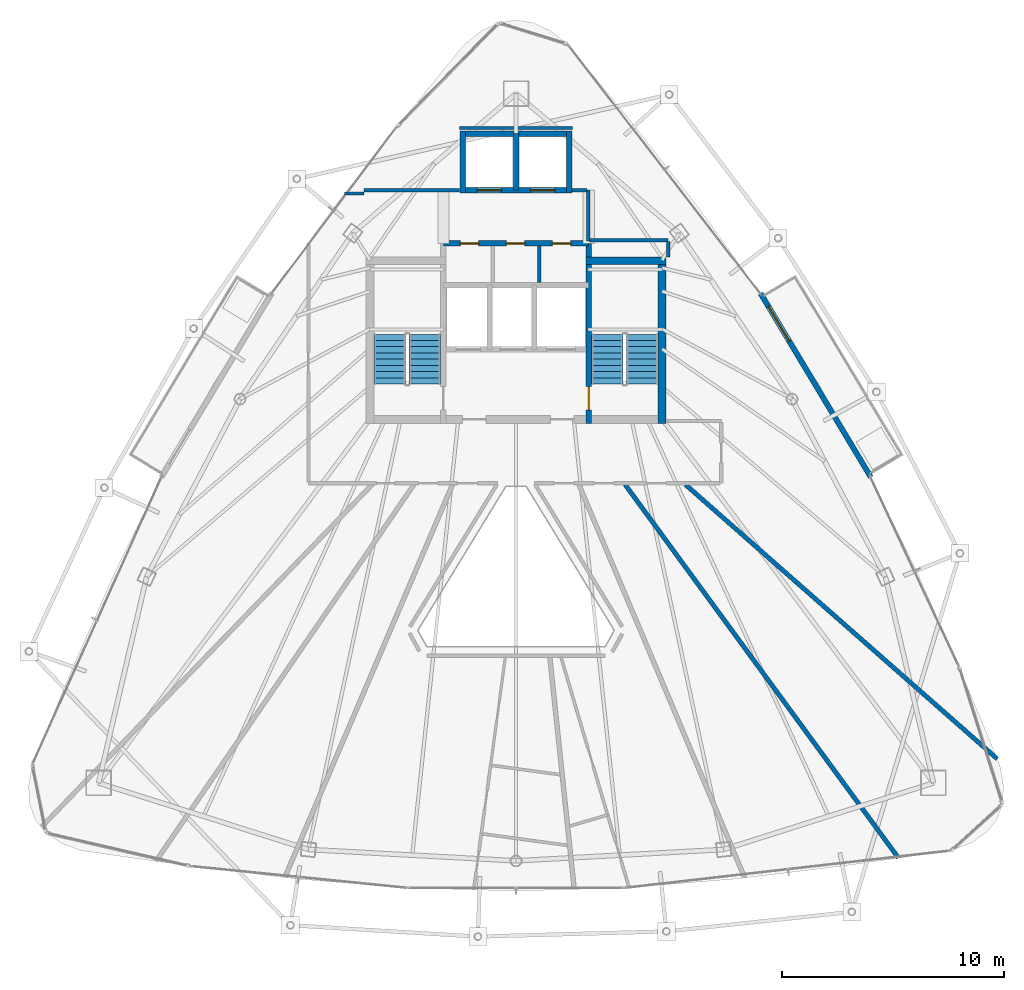
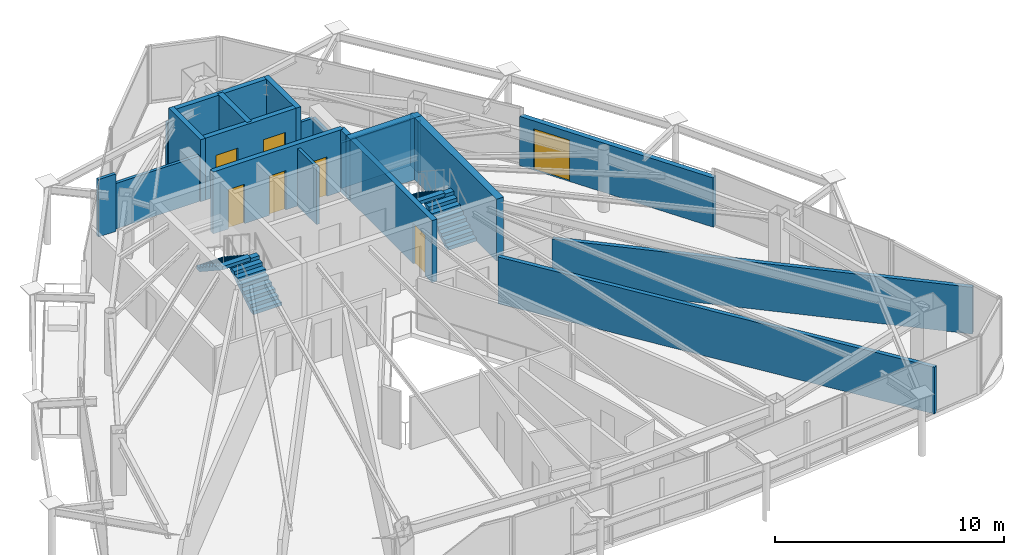
# One storey, part 26 of 28: 20 walls, 7 doors, 4 stair flights, 7 openings, 2 elements without a shape of their own.
"""IFC4 building model written with IfcOpenShell, lengths in metres."""

from ifc_helpers import new_model, si_unit, direction, frame, frame_2d, origin, place, context, subcontext, project, spatial, polyline, rectangle, outline, extrude, material, layer, layer_set, type_object, element, fill, aggregate, save


model = new_model("IFC4")

# Units and contexts
model_context = context("Model", 3, precision=1e-05, world=origin(), true_north=direction((0.0, 1.0)))
body_context = subcontext(model_context, "Body", "Model", "MODEL_VIEW")
ifc_project = project(units=[si_unit("LENGTHUNIT", "METRE"), si_unit("AREAUNIT", "SQUARE_METRE"), si_unit("VOLUMEUNIT", "CUBIC_METRE"), si_unit("PLANEANGLEUNIT", "RADIAN"), si_unit("MASSUNIT", "GRAM", prefix="KILO")], contexts=[model_context])

# Site, building, storey
site_placement = place(None, origin())
site = spatial("IfcSite", under=ifc_project, at=site_placement, CompositionType="ELEMENT")
building_placement = place(site_placement, origin())
building = spatial("IfcBuilding", under=site, at=building_placement, Name="Orvanel Arch Residences", CompositionType="ELEMENT")
storey_placement = place(building_placement, frame((0.0, 0.0, 266.75)))
storey = spatial("IfcBuildingStorey", under=building, at=storey_placement, Name="L76", CompositionType="ELEMENT", Elevation=266.75)

# Wall, opening, door
ifc_material_1 = material(Name="Precast concrete N50 (50 MPa)", Category="concrete")
ifc_layer_1 = layer(ifc_material_1, 0.239990234375)
ifc_layer_set_1 = layer_set([ifc_layer_1], Name="Precast concrete N50 (50 MPa)")
wall_type_1 = type_object("IfcWallType", Name="EW-BAL-240", PredefinedType="SOLIDWALL", material=ifc_layer_set_1)
wall_1_placement = place(storey_placement, frame((48.97998046875, 24.1220703125, 0.0), z_axis=(0.0, 0.0, 1.0), x_axis=(-0.514361929684, 0.857573206958, 0.0)))
wall_1 = element("IfcWall", 1, at=wall_1_placement, inside=storey, type_object=wall_type_1, Name="L76 Balcony Threshold Wall Face 3", PredefinedType="SOLIDWALL", context=body_context, shape_type="SweptSolid", body=[
    extrude(rectangle(XDim=9.65869140625, YDim=0.239990234375, at=frame_2d((4.829345703125, 0.0))), origin(), (0.0, 0.0, 1.0), 2.6240234375),
])
opening_1_placement = place(wall_1_placement, frame((7.162109375, 0.0, 0.0)))
opening_1 = element("IfcOpeningElement", 2, at=opening_1_placement, cuts=wall_1, Name="Opening DB-180", PredefinedType="OPENING", context=body_context, shape_type="SweptSolid", body=[
    extrude(rectangle(XDim=1.800048828125, YDim=2.199951171875, at=frame_2d((0.89990234375, 1.10009765625))), frame((0.0, 0.1298828125, 0.0), z_axis=(0.0, -1.0, 0.0), x_axis=(1.0, 0.0, 0.0)), (0.0, 0.0, 1.0), 0.260009765625),
])
ifc_material_2 = material(Name="Bronze-anodised aluminium AA6063-T6", Category="aluminium")
door_type_1 = type_object("IfcDoorType", Name="DR-BAL-1800", OperationType="NOTDEFINED", PredefinedType="DOOR", material=ifc_material_2)
door_1_placement = place(opening_1_placement, origin())
door_1 = element("IfcDoor", 3, at=door_1_placement, inside=storey, type_object=door_type_1, Name="DR-L76-BAL-F3 L76 Planted Balcony Access Door Face 3", OperationType="SINGLE_SWING_RIGHT", OverallHeight=2.199951171875, OverallWidth=1.800048828125, PredefinedType="DOOR", context=body_context, shape_type="SweptSolid", body=[
    extrude(rectangle(XDim=1.800048828125, YDim=2.199951171875, at=frame_2d((0.89990234375, 1.10009765625))), frame((0.0, 0.02490234375, 0.0), z_axis=(0.0, -1.0, 0.0), x_axis=(1.0, 0.0, 0.0)), (0.0, 0.0, 1.0), 0.050048828125),
])
fill(opening_1, door_1)

ifc_material_3 = material(Name="Concrete N50 (50 MPa)", Category="concrete")
ifc_layer_2 = layer(ifc_material_3, 0.25)
ifc_layer_set_2 = layer_set([ifc_layer_2], Name="Concrete N50 (50 MPa)")
wall_type_2 = type_object("IfcWallType", Name="SW-CORE-250", PredefinedType="SHEAR", material=ifc_layer_set_2)
wall_2_placement = place(storey_placement, frame((36.27490234375, 26.550048828125, 0.0), z_axis=(0.0, 0.0, 1.0), x_axis=(0.0, 1.0, 0.0)))
wall_2 = element("IfcWall", 4, at=wall_2_placement, inside=storey, type_object=wall_type_2, Name="L76 East Inner Core Spine Shear Wall", PredefinedType="SHEAR", context=body_context, shape_type="SweptSolid", body=[
    extrude(rectangle(XDim=8.099853515625, YDim=0.25, at=frame_2d((4.0498046875, 0.0))), origin(), (0.0, 0.0, 1.0), 3.300048828125),
])
opening_2_placement = place(wall_2_placement, frame((0.60009765625, 0.0, 0.0)))
opening_2 = element("IfcOpeningElement", 5, at=opening_2_placement, cuts=wall_2, Name="Opening DF-120", PredefinedType="OPENING", context=body_context, shape_type="SweptSolid", body=[
    extrude(rectangle(XDim=1.050048828125, YDim=2.14990234375, at=frame_2d((0.52490234375, 1.074951171875))), frame((0.0, 0.135009765625, 0.0), z_axis=(0.0, -1.0, 0.0), x_axis=(1.0, 0.0, 0.0)), (0.0, 0.0, 1.0), 0.27001953125),
])
ifc_material_4 = material(Name="Galvanised steel fire-resisting door assembly", Category="steel")
door_type_2 = type_object("IfcDoorType", Name="DR-FD120-1050", OperationType="NOTDEFINED", PredefinedType="DOOR", material=ifc_material_4)
door_2_placement = place(opening_2_placement, origin())
door_2 = element("IfcDoor", 6, at=door_2_placement, inside=storey, type_object=door_type_2, Name="DR-L76-ST2 L76 Stair 2 Fire Door", OperationType="SINGLE_SWING_RIGHT", OverallHeight=2.14990234375, OverallWidth=1.050048828125, PredefinedType="DOOR", context=body_context, shape_type="SweptSolid", body=[
    extrude(rectangle(XDim=1.050048828125, YDim=2.14990234375, at=frame_2d((0.52490234375, 1.074951171875))), frame((0.0, 0.02490234375, 0.0), z_axis=(0.0, -1.0, 0.0), x_axis=(1.0, 0.0, 0.0)), (0.0, 0.0, 1.0), 0.050048828125),
])
fill(opening_2, door_2)

# Wall, openings, doors
wall_3_placement = place(storey_placement, frame((29.72509765625, 34.64990234375, 0.0), z_axis=(0.0, 0.0, 1.0), x_axis=(1.0, 0.0, 0.0)))
wall_3 = element("IfcWall", 7, at=wall_3_placement, inside=storey, type_object=wall_type_2, Name="L76 Core Service Band North Shear Wall", PredefinedType="SHEAR", context=body_context, shape_type="SweptSolid", body=[
    extrude(rectangle(XDim=6.5498046875, YDim=0.25, at=frame_2d((3.27490234375, 0.0))), origin(), (0.0, 0.0, 1.0), 3.300048828125),
])
opening_3_placement = place(wall_3_placement, frame((0.764892578125, 0.0, 0.0)))
opening_3 = element("IfcOpeningElement", 8, at=opening_3_placement, cuts=wall_3, Name="Opening DS-082", PredefinedType="OPENING", context=body_context, shape_type="SweptSolid", body=[
    extrude(rectangle(XDim=0.820068359375, YDim=2.10009765625, at=frame_2d((0.41015625, 1.050048828125))), frame((0.0, 0.135009765625, 0.0), z_axis=(0.0, -1.0, 0.0), x_axis=(1.0, 0.0, 0.0)), (0.0, 0.0, 1.0), 0.27001953125),
])
opening_4_placement = place(wall_3_placement, frame((2.840087890625, 0.0, 0.0)))
opening_4 = element("IfcOpeningElement", 9, at=opening_4_placement, cuts=wall_3, Name="Opening DS-082", PredefinedType="OPENING", context=body_context, shape_type="SweptSolid", body=[
    extrude(rectangle(XDim=0.820068359375, YDim=2.10009765625, at=frame_2d((0.41015625, 1.050048828125))), frame((0.0, 0.135009765625, 0.0), z_axis=(0.0, -1.0, 0.0), x_axis=(1.0, 0.0, 0.0)), (0.0, 0.0, 1.0), 0.27001953125),
])
opening_5_placement = place(wall_3_placement, frame((4.9150390625, 0.0, 0.0)))
opening_5 = element("IfcOpeningElement", 10, at=opening_5_placement, cuts=wall_3, Name="Opening DS-082", PredefinedType="OPENING", context=body_context, shape_type="SweptSolid", body=[
    extrude(rectangle(XDim=0.820068359375, YDim=2.10009765625, at=frame_2d((0.41015625, 1.050048828125))), frame((0.0, 0.135009765625, 0.0), z_axis=(0.0, -1.0, 0.0), x_axis=(1.0, 0.0, 0.0)), (0.0, 0.0, 1.0), 0.27001953125),
])
door_type_3 = type_object("IfcDoorType", Name="DR-SVC-820", OperationType="NOTDEFINED", PredefinedType="DOOR", material=ifc_material_4)
door_3_placement = place(opening_3_placement, origin())
door_3 = element("IfcDoor", 11, at=door_3_placement, inside=storey, type_object=door_type_3, Name="DR-L76-CSVC-1 L76 Housekeeping Store Door", OperationType="SINGLE_SWING_LEFT", OverallHeight=2.10009765625, OverallWidth=0.820068359375, PredefinedType="DOOR", context=body_context, shape_type="SweptSolid", body=[
    extrude(rectangle(XDim=0.820068359375, YDim=2.10009765625, at=frame_2d((0.41015625, 1.050048828125))), frame((0.0, 0.02490234375, 0.0), z_axis=(0.0, -1.0, 0.0), x_axis=(1.0, 0.0, 0.0)), (0.0, 0.0, 1.0), 0.050048828125),
])
fill(opening_3, door_3)
door_4_placement = place(opening_4_placement, origin())
door_4 = element("IfcDoor", 12, at=door_4_placement, inside=storey, type_object=door_type_3, Name="DR-L76-CSVC-2 L76 Cleaner's Store Door", OperationType="SINGLE_SWING_LEFT", OverallHeight=2.10009765625, OverallWidth=0.820068359375, PredefinedType="DOOR", context=body_context, shape_type="SweptSolid", body=[
    extrude(rectangle(XDim=0.820068359375, YDim=2.10009765625, at=frame_2d((0.41015625, 1.050048828125))), frame((0.0, 0.02490234375, 0.0), z_axis=(0.0, -1.0, 0.0), x_axis=(1.0, 0.0, 0.0)), (0.0, 0.0, 1.0), 0.050048828125),
])
fill(opening_4, door_4)
door_5_placement = place(opening_5_placement, origin())
door_5 = element("IfcDoor", 13, at=door_5_placement, inside=storey, type_object=door_type_3, Name="DR-L76-CSVC-3 L76 Comms Riser Store Door", OperationType="SINGLE_SWING_LEFT", OverallHeight=2.10009765625, OverallWidth=0.820068359375, PredefinedType="DOOR", context=body_context, shape_type="SweptSolid", body=[
    extrude(rectangle(XDim=0.820068359375, YDim=2.10009765625, at=frame_2d((0.41015625, 1.050048828125))), frame((0.0, 0.02490234375, 0.0), z_axis=(0.0, -1.0, 0.0), x_axis=(1.0, 0.0, 0.0)), (0.0, 0.0, 1.0), 0.050048828125),
])
fill(opening_5, door_5)

wall_4_placement = place(storey_placement, frame((35.52490234375, 37.050048828125, 0.0), z_axis=(0.0, 0.0, 1.0), x_axis=(-1.0, 0.0, 0.0)))
wall_4 = element("IfcWall", 14, at=wall_4_placement, inside=storey, type_object=wall_type_2, Name="L76 Passenger Lift Bank Front Shear Wall", PredefinedType="SHEAR", context=body_context, shape_type="SweptSolid", body=[
    extrude(rectangle(XDim=5.0498046875, YDim=0.25, at=frame_2d((2.52490234375, 0.0))), origin(), (0.0, 0.0, 1.0), 3.300048828125),
])
opening_6_placement = place(wall_4_placement, frame((3.175048828125, 0.0, 0.0)))
opening_6 = element("IfcOpeningElement", 15, at=opening_6_placement, cuts=wall_4, Name="Opening LD-110", PredefinedType="OPENING", context=body_context, shape_type="SweptSolid", body=[
    extrude(rectangle(XDim=1.10009765625, YDim=2.199951171875, at=frame_2d((0.550048828125, 1.10009765625))), frame((0.0, 0.135009765625, 0.0), z_axis=(0.0, -1.0, 0.0), x_axis=(1.0, 0.0, 0.0)), (0.0, 0.0, 1.0), 0.27001953125),
])
opening_7_placement = place(wall_4_placement, frame((0.77490234375, 0.0, 0.0)))
opening_7 = element("IfcOpeningElement", 16, at=opening_7_placement, cuts=wall_4, Name="Opening LD-110", PredefinedType="OPENING", context=body_context, shape_type="SweptSolid", body=[
    extrude(rectangle(XDim=1.10009765625, YDim=2.199951171875, at=frame_2d((0.550048828125, 1.10009765625))), frame((0.0, 0.135009765625, 0.0), z_axis=(0.0, -1.0, 0.0), x_axis=(1.0, 0.0, 0.0)), (0.0, 0.0, 1.0), 0.27001953125),
])
door_type_4 = type_object("IfcDoorType", Name="DR-LFT-1100", OperationType="NOTDEFINED", PredefinedType="DOOR", material=ifc_material_4)
door_6_placement = place(opening_6_placement, origin())
door_6 = element("IfcDoor", 17, at=door_6_placement, inside=storey, type_object=door_type_4, Name="LD-P5-L76 L76 Passenger Lift P5 Sliding Landing Door", OperationType="DOUBLE_DOOR_SLIDING", OverallHeight=2.199951171875, OverallWidth=1.10009765625, PredefinedType="DOOR", context=body_context, shape_type="SweptSolid", body=[
    extrude(rectangle(XDim=1.10009765625, YDim=2.199951171875, at=frame_2d((0.550048828125, 1.10009765625))), frame((0.0, 0.02490234375, 0.0), z_axis=(0.0, -1.0, 0.0), x_axis=(1.0, 0.0, 0.0)), (0.0, 0.0, 1.0), 0.050048828125),
])
fill(opening_6, door_6)
door_7_placement = place(opening_7_placement, origin())
door_7 = element("IfcDoor", 18, at=door_7_placement, inside=storey, type_object=door_type_4, Name="LD-P6-L76 L76 Passenger Lift P6 Sliding Landing Door", OperationType="DOUBLE_DOOR_SLIDING", OverallHeight=2.199951171875, OverallWidth=1.10009765625, PredefinedType="DOOR", context=body_context, shape_type="SweptSolid", body=[
    extrude(rectangle(XDim=1.10009765625, YDim=2.199951171875, at=frame_2d((0.550048828125, 1.10009765625))), frame((0.0, 0.02490234375, 0.0), z_axis=(0.0, -1.0, 0.0), x_axis=(1.0, 0.0, 0.0)), (0.0, 0.0, 1.0), 0.050048828125),
])
fill(opening_7, door_7)

# Walls
wall_5_placement = place(storey_placement, frame((30.47509765625, 39.60009765625, 0.0), z_axis=(0.0, 0.0, 1.0), x_axis=(1.0, 0.0, 0.0)))
element("IfcWall", 19, at=wall_5_placement, inside=storey, type_object=wall_type_2, Name="L76 Passenger Lift Bank North Shear Wall", PredefinedType="SHEAR", context=body_context, shape_type="SweptSolid", body=[
    extrude(rectangle(XDim=5.0498046875, YDim=0.25, at=frame_2d((2.52490234375, 0.0))), origin(), (0.0, 0.0, 1.0), 3.300048828125),
])
for number, where, z_axis, x_axis, name in (
    (20, (30.60009765625, 36.925048828125, 0.0), (0.0, 0.0, 1.0), (0.0, 1.0, 0.0), "L76 Passenger Lift Bank West Shear Wall"),
    (21, (35.39990234375, 36.925048828125, 0.0), (0.0, 0.0, 1.0), (0.0, 1.0, 0.0), "L76 Passenger Lift Bank East Shear Wall"),
):
    element("IfcWall", number, at=place(storey_placement, frame(where, z_axis=z_axis, x_axis=x_axis)), inside=storey, type_object=wall_type_2, Name=name, PredefinedType="SHEAR", context=body_context, shape_type="SweptSolid", body=[
        extrude(rectangle(XDim=2.800048828125, YDim=0.25, at=frame_2d((1.39990234375, 0.0))), origin(), (0.0, 0.0, 1.0), 3.300048828125),
    ])
wall_6_placement = place(storey_placement, frame((33.0, 37.050048828125, 0.0), z_axis=(0.0, 0.0, 1.0), x_axis=(0.0, 1.0, 0.0)))
element("IfcWall", 22, at=wall_6_placement, inside=storey, type_object=wall_type_2, Name="L76 Passenger Lift Inter-Shaft Wall P56", PredefinedType="SHEAR", context=body_context, shape_type="SweptSolid", body=[
    extrude(rectangle(XDim=2.550048828125, YDim=0.25, at=frame_2d((1.27490234375, 0.0))), origin(), (0.0, 0.0, 1.0), 3.300048828125),
])
ifc_layer_3 = layer(ifc_material_3, 0.35009765625)
ifc_layer_set_3 = layer_set([ifc_layer_3], Name="Concrete N50 (50 MPa)")
wall_type_3 = type_object("IfcWallType", Name="SW-CORE-350", PredefinedType="SHEAR", material=ifc_layer_set_3)
wall_7_placement = place(storey_placement, frame((39.574951171875, 26.550048828125, 0.0), z_axis=(0.0, 0.0, 1.0), x_axis=(0.0, 1.0, 0.0)))
element("IfcWall", 23, at=wall_7_placement, inside=storey, type_object=wall_type_3, Name="L76 East Stair Shear Wall", PredefinedType="SHEAR", context=body_context, shape_type="SweptSolid", body=[
    extrude(rectangle(XDim=7.5, YDim=0.35009765625, at=frame_2d((3.75, 0.0))), origin(), (0.0, 0.0, 1.0), 3.300048828125),
])
wall_8_placement = place(storey_placement, frame((36.14990234375, 33.875, 0.0), z_axis=(0.0, 0.0, 1.0), x_axis=(1.0, 0.0, 0.0)))
element("IfcWall", 24, at=wall_8_placement, inside=storey, type_object=wall_type_3, Name="L76 East Stair North Shear Wall", PredefinedType="SHEAR", context=body_context, shape_type="SweptSolid", body=[
    extrude(rectangle(XDim=3.60009765625, YDim=0.35009765625, at=frame_2d((1.800048828125, 0.0))), origin(), (0.0, 0.0, 1.0), 3.300048828125),
])
ifc_material_5 = material(Name="Fire-rated plasterboard lined steel stud partition", Category="steel")
ifc_layer_4 = layer(ifc_material_5, 0.14990234375)
ifc_layer_set_4 = layer_set([ifc_layer_4], Name="Fire-rated plasterboard lined steel stud partition")
wall_type_4 = type_object("IfcWallType", Name="W-COR-150", PredefinedType="PARTITIONING", material=ifc_layer_set_4)
wall_9_placement = place(storey_placement, frame((36.25, 34.760009765625, 0.0), z_axis=(0.0, 0.0, 1.0), x_axis=(0.0, 1.0, 0.0)))
element("IfcWall", 25, at=wall_9_placement, inside=storey, type_object=wall_type_4, Name="L76 Passenger Lift Lobby East Closure Wall", PredefinedType="PARTITIONING", context=body_context, shape_type="SweptSolid", body=[
    extrude(rectangle(XDim=2.2900390625, YDim=0.14990234375, at=frame_2d((1.14501953125, 0.0))), origin(), (0.0, 0.0, 1.0), 2.425048828125),
])
wall_10_placement = place(storey_placement, frame((35.52490234375, 37.050048828125, 0.0), z_axis=(0.0, 0.0, 1.0), x_axis=(1.0, 0.0, 0.0)))
element("IfcWall", 26, at=wall_10_placement, inside=storey, type_object=wall_type_4, Name="L76 Passenger Lift Lobby North-East Wall", PredefinedType="PARTITIONING", context=body_context, shape_type="SweptSolid", body=[
    extrude(rectangle(XDim=0.6650390625, YDim=0.14990234375, at=frame_2d((0.33251953125, 0.0))), origin(), (0.0, 0.0, 1.0), 2.425048828125),
])
wall_11_placement = place(storey_placement, frame((25.26708984375, 36.89990234375, 0.0), z_axis=(0.0, 0.0, 1.0), x_axis=(1.0, 0.0, 0.0)))
element("IfcWall", 27, at=wall_11_placement, inside=storey, type_object=wall_type_4, Name="L76 Corridor Fire-Rated Partition", PredefinedType="PARTITIONING", context=body_context, shape_type="SweptSolid", body=[
    extrude(rectangle(XDim=0.8828125, YDim=0.14990234375, at=frame_2d((0.44140625, 0.0))), origin(), (0.0, 0.0, 1.0), 3.06005859375),
])
wall_12_placement = place(storey_placement, frame((26.14990234375, 37.050048828125, 0.0), z_axis=(0.0, 0.0, 1.0), x_axis=(1.0, 0.0, 0.0)))
element("IfcWall", 28, at=wall_12_placement, inside=storey, type_object=wall_type_4, Name="L76 Core Perimeter Partition", PredefinedType="PARTITIONING", context=body_context, shape_type="SweptSolid", body=[
    extrude(rectangle(XDim=4.300048828125, YDim=0.14990234375, at=frame_2d((2.14990234375, 0.0))), origin(), (0.0, 0.0, 1.0), 2.425048828125),
])
wall_13_placement = place(storey_placement, frame((30.449951171875, 39.85009765625, 0.0), z_axis=(0.0, 0.0, 1.0), x_axis=(1.0, 0.0, 0.0)))
element("IfcWall", 29, at=wall_13_placement, inside=storey, type_object=wall_type_4, Name="L76 Core Perimeter Partition", PredefinedType="PARTITIONING", context=body_context, shape_type="SweptSolid", body=[
    extrude(rectangle(XDim=5.10009765625, YDim=0.14990234375, at=frame_2d((2.550048828125, 0.0))), origin(), (0.0, 0.0, 1.0), 2.491943359375),
])
wall_14_placement = place(storey_placement, frame((36.31005859375, 34.800048828125, 0.0), z_axis=(0.0, 0.0, 1.0), x_axis=(1.0, 0.0, 0.0)))
element("IfcWall", 30, at=wall_14_placement, inside=storey, type_object=wall_type_4, Name="L76 Core Perimeter Partition", PredefinedType="PARTITIONING", context=body_context, shape_type="SweptSolid", body=[
    extrude(rectangle(XDim=3.5400390625, YDim=0.14990234375, at=frame_2d((1.77001953125, 0.0))), origin(), (0.0, 0.0, 1.0), 2.425048828125),
])
wall_15_placement = place(storey_placement, frame((39.85009765625, 34.739990234375, 0.0), z_axis=(0.0, 0.0, 1.0), x_axis=(0.0, -1.0, 0.0)))
element("IfcWall", 31, at=wall_15_placement, inside=storey, type_object=wall_type_4, Name="L76 Core Perimeter Partition", PredefinedType="PARTITIONING", context=body_context, shape_type="SweptSolid", body=[
    extrude(rectangle(XDim=0.68994140625, YDim=0.14990234375, at=frame_2d((0.344970703125, 0.0))), origin(), (0.0, 0.0, 1.0), 2.77294921875),
])
ifc_layer_5 = layer(ifc_material_5, 0.199951171875)
ifc_layer_set_5 = layer_set([ifc_layer_5], Name="Fire-rated plasterboard lined steel stud partition")
wall_type_5 = type_object("IfcWallType", Name="W-DEM-200", PredefinedType="PARTITIONING", material=ifc_layer_set_5)
wall_16_placement = place(storey_placement, frame((54.673095703125, 11.43798828125, 0.0), z_axis=(0.0, 0.0, 1.0), x_axis=(-0.750894752688, 0.660421888179, 0.0)))
element("IfcWall", 32, at=wall_16_placement, inside=storey, type_object=wall_type_5, Name="L76 Inter-Tenancy Acoustic Demising Wall", PredefinedType="PARTITIONING", context=body_context, shape_type="SweptSolid", body=[
    extrude(rectangle(XDim=18.703369140625, YDim=0.199951171875, at=frame_2d((9.3515625, 0.0))), origin(), (0.0, 0.0, 1.0), 2.491943359375),
])
wall_17_placement = place(storey_placement, frame((50.219970703125, 6.97607421875, 0.0), z_axis=(0.0, 0.0, 1.0), x_axis=(-0.59066502199, 0.80691686796, 0.0)))
element("IfcWall", 33, at=wall_17_placement, inside=storey, type_object=wall_type_5, Name="L76 Inter-Tenancy Acoustic Demising Wall", PredefinedType="PARTITIONING", context=body_context, shape_type="SweptSolid", body=[
    extrude(rectangle(XDim=20.83740234375, YDim=0.199951171875, at=frame_2d((10.418701171875, 0.0))), origin(), (0.0, 0.0, 1.0), 2.491943359375),
])
ifc_layer_6 = layer(ifc_material_5, 0.14990234375)
ifc_layer_set_6 = layer_set([ifc_layer_6], Name="Fire-rated plasterboard lined steel stud partition")
wall_type_6 = type_object("IfcWallType", Name="W-ST-150", PredefinedType="PARTITIONING", material=ifc_layer_set_6)
wall_18_placement = place(storey_placement, frame((34.050048828125, 32.885009765625, 0.0), z_axis=(0.0, 0.0, 1.0), x_axis=(0.0, 1.0, 0.0)))
element("IfcWall", 34, at=wall_18_placement, inside=storey, type_object=wall_type_6, Name="L76 Core Service Partition 2", PredefinedType="PARTITIONING", context=body_context, shape_type="SweptSolid", body=[
    extrude(rectangle(XDim=1.655029296875, YDim=0.14990234375, at=frame_2d((0.82763671875, 0.0))), origin(), (0.0, 0.0, 1.0), 3.06005859375),
])

# Stair, stair flights
stair_type = type_object("IfcStairType", Name="STR-DOG-184", PredefinedType="USERDEFINED", material=ifc_material_1)
stair_1_placement = place(storey_placement, origin())
stair_1 = element("IfcStair", 35, at=stair_1_placement, inside=storey, type_object=stair_type, Name="L76 Fire-Isolated Core Exit Stair 1", ObjectType="TWO_RETURN_STAIR", PredefinedType="USERDEFINED")
stair_flight_type_1 = type_object("IfcStairFlightType", Name="SFL-C1-184", PredefinedType="STRAIGHT", material=ifc_material_1)
stair_flight_1_placement = place(storey_placement, frame((28.889892578125, 28.320068359375, 0.0), z_axis=(0.0, 0.0, 1.0), x_axis=(0.0, 1.0, 0.0)))
stair_flight_1 = element("IfcStairFlight", 36, at=stair_flight_1_placement, type_object=stair_flight_type_1, Name="ST-1 flight 1", NumberOfRisers=9, NumberOfTreads=8, PredefinedType="STRAIGHT", RiserHeight=0.183333333, TreadLength=0.28, context=body_context, shape_type="SweptSolid", body=[
    extrude(outline(polyline([(0.0, 0.0), (0.0, 0.183349609375), (0.280029296875, 0.183349609375), (0.280029296875, 0.36669921875), (0.56005859375, 0.36669921875), (0.56005859375, 0.550048828125), (0.840087890625, 0.550048828125), (0.840087890625, 0.7333984375), (1.1201171875, 0.7333984375), (1.1201171875, 0.916748046875), (1.39990234375, 0.916748046875), (1.39990234375, 1.10009765625), (1.679931640625, 1.10009765625), (1.679931640625, 1.283447265625), (1.9599609375, 1.283447265625), (1.9599609375, 1.466552734375), (2.239990234375, 1.466552734375), (2.239990234375, 1.64990234375), (2.239990234375, 1.28759765625), (0.273681640625, 0.0), (0.0, 0.0)])), frame((0.0, 0.7099609375, 0.0), z_axis=(0.0, -1.0, 0.0), x_axis=(1.0, 0.0, 0.0)), (0.0, 0.0, 1.0), 1.419921875),
])
stair_flight_2_placement = place(storey_placement, frame((27.31005859375, 30.56005859375, 1.64990234375), z_axis=(0.0, 0.0, 1.0), x_axis=(0.0, -1.0, 0.0)))
stair_flight_2 = element("IfcStairFlight", 37, at=stair_flight_2_placement, type_object=stair_flight_type_1, Name="ST-1 flight 2", NumberOfRisers=9, NumberOfTreads=8, PredefinedType="STRAIGHT", RiserHeight=0.183333333, TreadLength=0.28, context=body_context, shape_type="SweptSolid", body=[
    extrude(outline(polyline([(0.0, 0.0), (0.0, 0.183349609375), (0.280029296875, 0.183349609375), (0.280029296875, 0.36669921875), (0.56005859375, 0.36669921875), (0.56005859375, 0.550048828125), (0.840087890625, 0.550048828125), (0.840087890625, 0.7333984375), (1.1201171875, 0.7333984375), (1.1201171875, 0.916748046875), (1.39990234375, 0.916748046875), (1.39990234375, 1.10009765625), (1.679931640625, 1.10009765625), (1.679931640625, 1.283447265625), (1.9599609375, 1.283447265625), (1.9599609375, 1.466552734375), (2.239990234375, 1.466552734375), (2.239990234375, 1.64990234375), (2.239990234375, 1.28759765625), (0.273681640625, 0.0), (0.0, 0.0)])), frame((0.0, 0.7099609375, 0.0), z_axis=(0.0, -1.0, 0.0), x_axis=(1.0, 0.0, 0.0)), (0.0, 0.0, 1.0), 1.419921875),
])
aggregate(stair_1, [stair_flight_1, stair_flight_2])

stair_2_placement = place(storey_placement, origin())
stair_2 = element("IfcStair", 38, at=stair_2_placement, inside=storey, type_object=stair_type, Name="L76 Fire-Isolated Core Exit Stair 2", ObjectType="TWO_RETURN_STAIR", PredefinedType="USERDEFINED")
stair_flight_type_2 = type_object("IfcStairFlightType", Name="SFL-C2-184", PredefinedType="STRAIGHT", material=ifc_material_1)
stair_flight_3_placement = place(storey_placement, frame((38.68994140625, 28.320068359375, 0.0), z_axis=(0.0, 0.0, 1.0), x_axis=(0.0, 1.0, 0.0)))
stair_flight_3 = element("IfcStairFlight", 39, at=stair_flight_3_placement, type_object=stair_flight_type_2, Name="ST-2 flight 1", NumberOfRisers=9, NumberOfTreads=8, PredefinedType="STRAIGHT", RiserHeight=0.183333333, TreadLength=0.28, context=body_context, shape_type="SweptSolid", body=[
    extrude(outline(polyline([(0.0, 0.0), (0.0, 0.183349609375), (0.280029296875, 0.183349609375), (0.280029296875, 0.36669921875), (0.56005859375, 0.36669921875), (0.56005859375, 0.550048828125), (0.840087890625, 0.550048828125), (0.840087890625, 0.7333984375), (1.1201171875, 0.7333984375), (1.1201171875, 0.916748046875), (1.39990234375, 0.916748046875), (1.39990234375, 1.10009765625), (1.679931640625, 1.10009765625), (1.679931640625, 1.283447265625), (1.9599609375, 1.283447265625), (1.9599609375, 1.466552734375), (2.239990234375, 1.466552734375), (2.239990234375, 1.64990234375), (2.239990234375, 1.28759765625), (0.273681640625, 0.0), (0.0, 0.0)])), frame((0.0, 0.7099609375, 0.0), z_axis=(0.0, -1.0, 0.0), x_axis=(1.0, 0.0, 0.0)), (0.0, 0.0, 1.0), 1.419921875),
])
stair_flight_4_placement = place(storey_placement, frame((37.110107421875, 30.56005859375, 1.64990234375), z_axis=(0.0, 0.0, 1.0), x_axis=(0.0, -1.0, 0.0)))
stair_flight_4 = element("IfcStairFlight", 40, at=stair_flight_4_placement, type_object=stair_flight_type_2, Name="ST-2 flight 2", NumberOfRisers=9, NumberOfTreads=8, PredefinedType="STRAIGHT", RiserHeight=0.183333333, TreadLength=0.28, context=body_context, shape_type="SweptSolid", body=[
    extrude(outline(polyline([(0.0, 0.0), (0.0, 0.183349609375), (0.280029296875, 0.183349609375), (0.280029296875, 0.36669921875), (0.56005859375, 0.36669921875), (0.56005859375, 0.550048828125), (0.840087890625, 0.550048828125), (0.840087890625, 0.7333984375), (1.1201171875, 0.7333984375), (1.1201171875, 0.916748046875), (1.39990234375, 0.916748046875), (1.39990234375, 1.10009765625), (1.679931640625, 1.10009765625), (1.679931640625, 1.283447265625), (1.9599609375, 1.283447265625), (1.9599609375, 1.466552734375), (2.239990234375, 1.466552734375), (2.239990234375, 1.64990234375), (2.239990234375, 1.28759765625), (0.273681640625, 0.0), (0.0, 0.0)])), frame((0.0, 0.7099609375, 0.0), z_axis=(0.0, -1.0, 0.0), x_axis=(1.0, 0.0, 0.0)), (0.0, 0.0, 1.0), 1.419921875),
])
aggregate(stair_2, [stair_flight_3, stair_flight_4])

save(model, "model.ifc")
